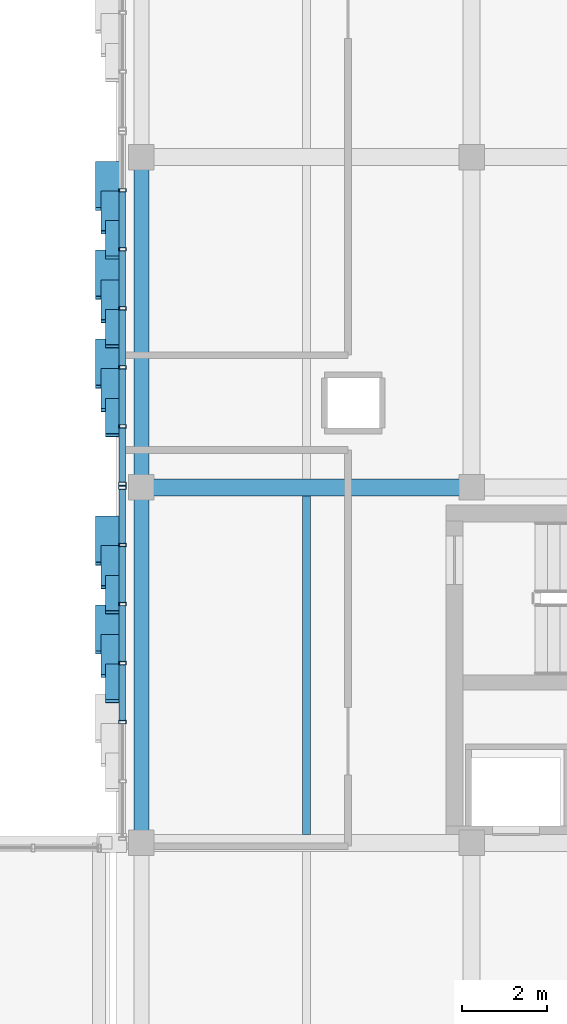
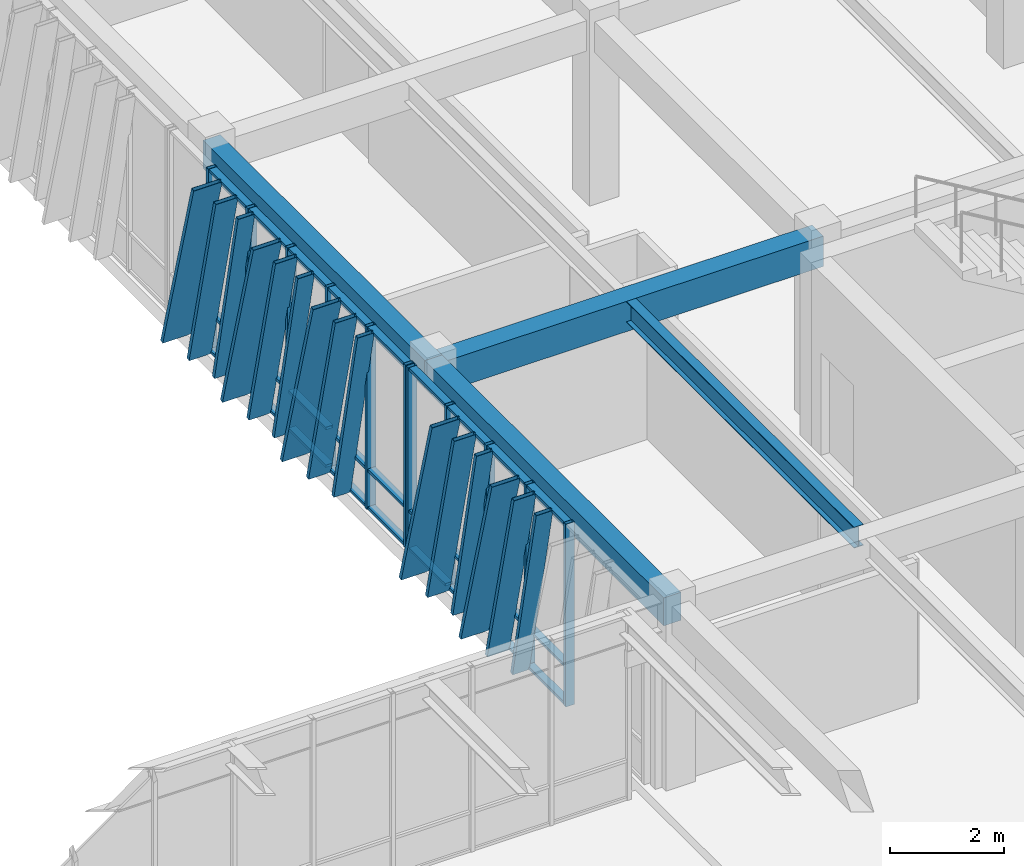
# One storey, part 65 of 127: 53 members, 4 beams, 2 elements without a shape of their own.
"""IFC4 building model written with IfcOpenShell, lengths in metres."""

from ifc_helpers import new_model, si_unit, direction, frame, origin, origin_2d, place, context, subcontext, project, spatial, rectangle, hollow_rectangle, i_section, extrude, material, layer, layer_set, material_profile, profile_set, type_object, element, aggregate, save


model = new_model("IFC4")

# Units and contexts
model_context = context("Model", 3, precision=1e-05, world=origin(), true_north=direction((0.0, 1.0)))
body_context = subcontext(model_context, "Body", "Model", "MODEL_VIEW")
ifc_project = project(units=[si_unit("LENGTHUNIT", "METRE"), si_unit("AREAUNIT", "SQUARE_METRE"), si_unit("VOLUMEUNIT", "CUBIC_METRE"), si_unit("PLANEANGLEUNIT", "RADIAN"), si_unit("MASSUNIT", "GRAM", prefix="KILO")], contexts=[model_context])

# Site, building, storey
site_placement = place(None, origin())
site = spatial("IfcSite", under=ifc_project, at=site_placement, CompositionType="ELEMENT")
building_placement = place(site_placement, origin())
building = spatial("IfcBuilding", under=site, at=building_placement, Name="Zayran Congress Hotel", CompositionType="ELEMENT")
storey_placement = place(building_placement, frame((0.0, 0.0, 10.800048828125)))
storey = spatial("IfcBuildingStorey", under=building, at=storey_placement, Name="L02", CompositionType="ELEMENT", Elevation=10.800048828125)

# Beams
ifc_material_1 = material(Name="Concrete C40/50", Category="concrete")
ifc_material_profile_1 = material_profile(ifc_material_1, rectangle(XDim=0.39990234375, YDim=0.64990234375, at=origin_2d()), Name="RC 400x650")
ifc_profile_set_1 = profile_set([ifc_material_profile_1], Name="Concrete C40/50")
beam_type_1 = type_object("IfcBeamType", Name="TP-BM-03", PredefinedType="BEAM", material=ifc_profile_set_1)
beam_1_placement = place(storey_placement, frame((109.800048828125, 92.800048828125, 3.594970703125), z_axis=(1.0, 0.0, 0.0), x_axis=(0.0, 1.0, 0.0)))
element("IfcBeam", 1, at=beam_1_placement, inside=storey, type_object=beam_type_1, Name="BM-V4-L02-1430", PredefinedType="BEAM", context=body_context, shape_type="SweptSolid", body=[
    extrude(rectangle(XDim=0.39990234375, YDim=0.64990234375, at=origin_2d()), origin(), (0.0, 0.0, 1.0), 7.800048828125),
])
ifc_material_profile_2 = material_profile(ifc_material_1, rectangle(XDim=0.35009765625, YDim=0.60009765625, at=origin_2d()), Name="RC 350x600")
ifc_profile_set_2 = profile_set([ifc_material_profile_2], Name="Concrete C40/50")
beam_type_2 = type_object("IfcBeamType", Name="TP-SP-01", PredefinedType="SPANDREL", material=ifc_profile_set_2)
beam_2_placement = place(storey_placement, frame((109.800048828125, 84.39990234375, 3.619873046875), z_axis=(0.0, 1.0, 0.0), x_axis=(-1.0, 0.0, 0.0)))
element("IfcBeam", 2, at=beam_2_placement, inside=storey, type_object=beam_type_2, Name="BM-V4-L02-1444", PredefinedType="SPANDREL", context=body_context, shape_type="SweptSolid", body=[
    extrude(rectangle(XDim=0.35009765625, YDim=0.60009765625, at=origin_2d()), origin(), (0.0, 0.0, 1.0), 8.400146484375),
])
beam_3_placement = place(storey_placement, frame((109.800048828125, 92.800048828125, 3.619873046875), z_axis=(0.0, 1.0, 0.0), x_axis=(-1.0, 0.0, 0.0)))
element("IfcBeam", 3, at=beam_3_placement, inside=storey, type_object=beam_type_2, Name="BM-V4-L02-1445", PredefinedType="SPANDREL", context=body_context, shape_type="SweptSolid", body=[
    extrude(rectangle(XDim=0.35009765625, YDim=0.60009765625, at=origin_2d()), origin(), (0.0, 0.0, 1.0), 7.800048828125),
])
ifc_material_2 = material(Name="Steel S355", Category="steel")
ifc_material_profile_3 = material_profile(ifc_material_2, i_section(OverallWidth=0.18994140625, OverallDepth=0.449951171875, WebThickness=0.009521484375, FlangeThickness=0.0146484375, at=origin_2d()), Name="IPE 450")
ifc_profile_set_3 = profile_set([ifc_material_profile_3], Name="Steel S355")
beam_type_3 = type_object("IfcBeamType", Name="TP-JS-02", PredefinedType="JOIST", material=ifc_profile_set_3)
beam_4_placement = place(storey_placement, frame((113.699951171875, 84.60009765625, 3.695068359375), z_axis=(0.0, 1.0, 0.0), x_axis=(-1.0, 0.0, 0.0)))
element("IfcBeam", 4, at=beam_4_placement, inside=storey, type_object=beam_type_3, Name="JST-V4-L02-1474", PredefinedType="JOIST", context=body_context, shape_type="SweptSolid", body=[
    extrude(i_section(OverallWidth=0.18994140625, OverallDepth=0.449951171875, WebThickness=0.009521484375, FlangeThickness=0.0146484375, at=origin_2d()), origin(), (0.0, 0.0, 1.0), 8.0),
])

# Curtain wall, members
ifc_material_3 = material(Name="Anodised aluminium and low-E insulated glass", Category="aluminium")
ifc_layer_1 = layer(ifc_material_3, 0.179931640625)
ifc_layer_set_1 = layer_set([ifc_layer_1], Name="Anodised aluminium and low-E insulated glass")
curtain_wall_type_1 = type_object("IfcCurtainWallType", Name="CW-V4W-L02-CW-53-8371-3920", PredefinedType="USERDEFINED", material=ifc_layer_set_1)
curtain_wall_1_placement = place(storey_placement, origin())
curtain_wall_1 = element("IfcCurtainWall", 5, at=curtain_wall_1_placement, inside=storey, type_object=curtain_wall_type_1, Name="CW-V4W-L02-5", ObjectType="CURTAIN WALL", PredefinedType="USERDEFINED")
ifc_material_4 = material(Name="Anodised aluminium framing", Category="aluminium")
ifc_material_profile_4 = material_profile(ifc_material_4, hollow_rectangle(XDim=0.080078125, YDim=0.179931640625, WallThickness=0.0048828125, at=origin_2d()), Name="RHS 180x80x5")
ifc_profile_set_4 = profile_set([ifc_material_profile_4], Name="Anodised aluminium framing")
member_type_1 = type_object("IfcMemberType", Name="TP-CWM-01", PredefinedType="MULLION", material=ifc_profile_set_4)
member_1_placement = place(storey_placement, frame((109.35009765625, 92.7919921875, 0.0), z_axis=(0.0, 0.0, 1.0), x_axis=(0.0, 1.0, 0.0)))
member_1 = element("IfcMember", 6, at=member_1_placement, type_object=member_type_1, Name="CW-V4W-L02-5-M00", PredefinedType="MULLION", context=body_context, shape_type="SweptSolid", body=[
    extrude(hollow_rectangle(XDim=0.080078125, YDim=0.179931640625, WallThickness=0.0048828125, at=origin_2d()), origin(), (0.0, 0.0, 1.0), 3.919921875),
])
member_2_placement = place(storey_placement, frame((109.35009765625, 91.436767578125, 0.0), z_axis=(0.0, 0.0, 1.0), x_axis=(0.0, 1.0, 0.0)))
member_2 = element("IfcMember", 7, at=member_2_placement, type_object=member_type_1, Name="CW-V4W-L02-5-M01", PredefinedType="MULLION", context=body_context, shape_type="SweptSolid", body=[
    extrude(hollow_rectangle(XDim=0.080078125, YDim=0.179931640625, WallThickness=0.0048828125, at=origin_2d()), origin(), (0.0, 0.0, 1.0), 3.919921875),
])
member_3_placement = place(storey_placement, frame((109.35009765625, 90.041748046875, 0.0), z_axis=(0.0, 0.0, 1.0), x_axis=(0.0, 1.0, 0.0)))
member_3 = element("IfcMember", 8, at=member_3_placement, type_object=member_type_1, Name="CW-V4W-L02-5-M02", PredefinedType="MULLION", context=body_context, shape_type="SweptSolid", body=[
    extrude(hollow_rectangle(XDim=0.080078125, YDim=0.179931640625, WallThickness=0.0048828125, at=origin_2d()), origin(), (0.0, 0.0, 1.0), 3.919921875),
])
member_4_placement = place(storey_placement, frame((109.35009765625, 88.646484375, 0.0), z_axis=(0.0, 0.0, 1.0), x_axis=(0.0, 1.0, 0.0)))
member_4 = element("IfcMember", 9, at=member_4_placement, type_object=member_type_1, Name="CW-V4W-L02-5-M03", PredefinedType="MULLION", context=body_context, shape_type="SweptSolid", body=[
    extrude(hollow_rectangle(XDim=0.080078125, YDim=0.179931640625, WallThickness=0.0048828125, at=origin_2d()), origin(), (0.0, 0.0, 1.0), 3.919921875),
])
member_5_placement = place(storey_placement, frame((109.35009765625, 87.251220703125, 0.0), z_axis=(0.0, 0.0, 1.0), x_axis=(0.0, 1.0, 0.0)))
member_5 = element("IfcMember", 10, at=member_5_placement, type_object=member_type_1, Name="CW-V4W-L02-5-M04", PredefinedType="MULLION", context=body_context, shape_type="SweptSolid", body=[
    extrude(hollow_rectangle(XDim=0.080078125, YDim=0.179931640625, WallThickness=0.0048828125, at=origin_2d()), origin(), (0.0, 0.0, 1.0), 3.919921875),
])

ifc_layer_2 = layer(ifc_material_3, 0.179931640625)
ifc_layer_set_2 = layer_set([ifc_layer_2], Name="Anodised aluminium and low-E insulated glass")
curtain_wall_type_2 = type_object("IfcCurtainWallType", Name="CW-V4W-L02-CW-51-8372-3920", PredefinedType="USERDEFINED", material=ifc_layer_set_2)
curtain_wall_2_placement = place(storey_placement, origin())
curtain_wall_2 = element("IfcCurtainWall", 11, at=curtain_wall_2_placement, inside=storey, type_object=curtain_wall_type_2, Name="CW-V4W-L02-6", ObjectType="CURTAIN WALL", PredefinedType="USERDEFINED")
member_6_placement = place(storey_placement, frame((109.35009765625, 99.818603515625, 0.0), z_axis=(0.0, 0.0, 1.0), x_axis=(0.0, 1.0, 0.0)))
member_6 = element("IfcMember", 12, at=member_6_placement, type_object=member_type_1, Name="CW-V4W-L02-6-M01", PredefinedType="MULLION", context=body_context, shape_type="SweptSolid", body=[
    extrude(hollow_rectangle(XDim=0.080078125, YDim=0.179931640625, WallThickness=0.0048828125, at=origin_2d()), origin(), (0.0, 0.0, 1.0), 3.919921875),
])
member_7_placement = place(storey_placement, frame((109.35009765625, 98.42333984375, 0.0), z_axis=(0.0, 0.0, 1.0), x_axis=(0.0, 1.0, 0.0)))
member_7 = element("IfcMember", 13, at=member_7_placement, type_object=member_type_1, Name="CW-V4W-L02-6-M02", PredefinedType="MULLION", context=body_context, shape_type="SweptSolid", body=[
    extrude(hollow_rectangle(XDim=0.080078125, YDim=0.179931640625, WallThickness=0.0048828125, at=origin_2d()), origin(), (0.0, 0.0, 1.0), 3.919921875),
])
member_8_placement = place(storey_placement, frame((109.35009765625, 97.028076171875, 0.0), z_axis=(0.0, 0.0, 1.0), x_axis=(0.0, 1.0, 0.0)))
member_8 = element("IfcMember", 14, at=member_8_placement, type_object=member_type_1, Name="CW-V4W-L02-6-M03", PredefinedType="MULLION", context=body_context, shape_type="SweptSolid", body=[
    extrude(hollow_rectangle(XDim=0.080078125, YDim=0.179931640625, WallThickness=0.0048828125, at=origin_2d()), origin(), (0.0, 0.0, 1.0), 3.919921875),
])
member_9_placement = place(storey_placement, frame((109.35009765625, 95.6328125, 0.0), z_axis=(0.0, 0.0, 1.0), x_axis=(0.0, 1.0, 0.0)))
member_9 = element("IfcMember", 15, at=member_9_placement, type_object=member_type_1, Name="CW-V4W-L02-6-M04", PredefinedType="MULLION", context=body_context, shape_type="SweptSolid", body=[
    extrude(hollow_rectangle(XDim=0.080078125, YDim=0.179931640625, WallThickness=0.0048828125, at=origin_2d()), origin(), (0.0, 0.0, 1.0), 3.919921875),
])
member_10_placement = place(storey_placement, frame((109.35009765625, 94.2373046875, 0.0), z_axis=(0.0, 0.0, 1.0), x_axis=(0.0, 1.0, 0.0)))
member_10 = element("IfcMember", 16, at=member_10_placement, type_object=member_type_1, Name="CW-V4W-L02-6-M05", PredefinedType="MULLION", context=body_context, shape_type="SweptSolid", body=[
    extrude(hollow_rectangle(XDim=0.080078125, YDim=0.179931640625, WallThickness=0.0048828125, at=origin_2d()), origin(), (0.0, 0.0, 1.0), 3.919921875),
])
member_11_placement = place(storey_placement, frame((109.35009765625, 92.882080078125, 0.0), z_axis=(0.0, 0.0, 1.0), x_axis=(0.0, 1.0, 0.0)))
member_11 = element("IfcMember", 17, at=member_11_placement, type_object=member_type_1, Name="CW-V4W-L02-6-M06", PredefinedType="MULLION", context=body_context, shape_type="SweptSolid", body=[
    extrude(hollow_rectangle(XDim=0.080078125, YDim=0.179931640625, WallThickness=0.0048828125, at=origin_2d()), origin(), (0.0, 0.0, 1.0), 3.919921875),
])

# Member
ifc_material_profile_5 = material_profile(ifc_material_4, hollow_rectangle(XDim=0.06005859375, YDim=0.14990234375, WallThickness=0.00390625, at=origin_2d()), Name="RHS 150x60x4")
ifc_profile_set_5 = profile_set([ifc_material_profile_5], Name="Anodised aluminium framing")
member_type_2 = type_object("IfcMemberType", Name="TP-CWT-01", PredefinedType="USERDEFINED", material=ifc_profile_set_5)
member_12_placement = place(storey_placement, frame((109.35009765625, 92.751953125, 0.030029296875), z_axis=(0.0, -1.0, 0.0), x_axis=(0.0, 0.0, 1.0)))
member_12 = element("IfcMember", 18, at=member_12_placement, type_object=member_type_2, Name="CW-V4W-L02-5-T00-0", ObjectType="TRANSOM", PredefinedType="USERDEFINED", context=body_context, shape_type="SweptSolid", body=[
    extrude(hollow_rectangle(XDim=0.06005859375, YDim=0.14990234375, WallThickness=0.00390625, at=origin_2d()), origin(), (0.0, 0.0, 1.0), 1.275146484375),
])

member_13_placement = place(storey_placement, frame((109.35009765625, 92.751953125, 0.83984375), z_axis=(0.0, -1.0, 0.0), x_axis=(0.0, 0.0, 1.0)))
member_13 = element("IfcMember", 19, at=member_13_placement, type_object=member_type_2, Name="CW-V4W-L02-5-T00-1", ObjectType="TRANSOM", PredefinedType="USERDEFINED", context=body_context, shape_type="SweptSolid", body=[
    extrude(hollow_rectangle(XDim=0.06005859375, YDim=0.14990234375, WallThickness=0.00390625, at=origin_2d()), origin(), (0.0, 0.0, 1.0), 1.275146484375),
])

member_14_placement = place(storey_placement, frame((109.35009765625, 92.751953125, 3.889892578125), z_axis=(0.0, -1.0, 0.0), x_axis=(0.0, 0.0, 1.0)))
member_14 = element("IfcMember", 20, at=member_14_placement, type_object=member_type_2, Name="CW-V4W-L02-5-T00-2", ObjectType="TRANSOM", PredefinedType="USERDEFINED", context=body_context, shape_type="SweptSolid", body=[
    extrude(hollow_rectangle(XDim=0.06005859375, YDim=0.14990234375, WallThickness=0.00390625, at=origin_2d()), origin(), (0.0, 0.0, 1.0), 1.275146484375),
])

member_15_placement = place(storey_placement, frame((109.35009765625, 91.396728515625, 0.030029296875), z_axis=(0.0, -1.0, 0.0), x_axis=(0.0, 0.0, 1.0)))
member_15 = element("IfcMember", 21, at=member_15_placement, type_object=member_type_2, Name="CW-V4W-L02-5-T01-0", ObjectType="TRANSOM", PredefinedType="USERDEFINED", context=body_context, shape_type="SweptSolid", body=[
    extrude(hollow_rectangle(XDim=0.06005859375, YDim=0.14990234375, WallThickness=0.00390625, at=origin_2d()), origin(), (0.0, 0.0, 1.0), 1.31494140625),
])

member_16_placement = place(storey_placement, frame((109.35009765625, 91.396728515625, 0.83984375), z_axis=(0.0, -1.0, 0.0), x_axis=(0.0, 0.0, 1.0)))
member_16 = element("IfcMember", 22, at=member_16_placement, type_object=member_type_2, Name="CW-V4W-L02-5-T01-1", ObjectType="TRANSOM", PredefinedType="USERDEFINED", context=body_context, shape_type="SweptSolid", body=[
    extrude(hollow_rectangle(XDim=0.06005859375, YDim=0.14990234375, WallThickness=0.00390625, at=origin_2d()), origin(), (0.0, 0.0, 1.0), 1.31494140625),
])

member_17_placement = place(storey_placement, frame((109.35009765625, 91.396728515625, 3.889892578125), z_axis=(0.0, -1.0, 0.0), x_axis=(0.0, 0.0, 1.0)))
member_17 = element("IfcMember", 23, at=member_17_placement, type_object=member_type_2, Name="CW-V4W-L02-5-T01-2", ObjectType="TRANSOM", PredefinedType="USERDEFINED", context=body_context, shape_type="SweptSolid", body=[
    extrude(hollow_rectangle(XDim=0.06005859375, YDim=0.14990234375, WallThickness=0.00390625, at=origin_2d()), origin(), (0.0, 0.0, 1.0), 1.31494140625),
])

member_18_placement = place(storey_placement, frame((109.35009765625, 90.001708984375, 0.030029296875), z_axis=(0.0, -1.0, 0.0), x_axis=(0.0, 0.0, 1.0)))
member_18 = element("IfcMember", 24, at=member_18_placement, type_object=member_type_2, Name="CW-V4W-L02-5-T02-0", ObjectType="TRANSOM", PredefinedType="USERDEFINED", context=body_context, shape_type="SweptSolid", body=[
    extrude(hollow_rectangle(XDim=0.06005859375, YDim=0.14990234375, WallThickness=0.00390625, at=origin_2d()), origin(), (0.0, 0.0, 1.0), 1.315185546875),
])

member_19_placement = place(storey_placement, frame((109.35009765625, 90.001708984375, 0.83984375), z_axis=(0.0, -1.0, 0.0), x_axis=(0.0, 0.0, 1.0)))
member_19 = element("IfcMember", 25, at=member_19_placement, type_object=member_type_2, Name="CW-V4W-L02-5-T02-1", ObjectType="TRANSOM", PredefinedType="USERDEFINED", context=body_context, shape_type="SweptSolid", body=[
    extrude(hollow_rectangle(XDim=0.06005859375, YDim=0.14990234375, WallThickness=0.00390625, at=origin_2d()), origin(), (0.0, 0.0, 1.0), 1.315185546875),
])

member_20_placement = place(storey_placement, frame((109.35009765625, 90.001708984375, 3.889892578125), z_axis=(0.0, -1.0, 0.0), x_axis=(0.0, 0.0, 1.0)))
member_20 = element("IfcMember", 26, at=member_20_placement, type_object=member_type_2, Name="CW-V4W-L02-5-T02-2", ObjectType="TRANSOM", PredefinedType="USERDEFINED", context=body_context, shape_type="SweptSolid", body=[
    extrude(hollow_rectangle(XDim=0.06005859375, YDim=0.14990234375, WallThickness=0.00390625, at=origin_2d()), origin(), (0.0, 0.0, 1.0), 1.315185546875),
])

member_21_placement = place(storey_placement, frame((109.35009765625, 88.6064453125, 0.030029296875), z_axis=(0.0, -1.0, 0.0), x_axis=(0.0, 0.0, 1.0)))
member_21 = element("IfcMember", 27, at=member_21_placement, type_object=member_type_2, Name="CW-V4W-L02-5-T03-0", ObjectType="TRANSOM", PredefinedType="USERDEFINED", context=body_context, shape_type="SweptSolid", body=[
    extrude(hollow_rectangle(XDim=0.06005859375, YDim=0.14990234375, WallThickness=0.00390625, at=origin_2d()), origin(), (0.0, 0.0, 1.0), 1.315185546875),
])

member_22_placement = place(storey_placement, frame((109.35009765625, 88.6064453125, 0.83984375), z_axis=(0.0, -1.0, 0.0), x_axis=(0.0, 0.0, 1.0)))
member_22 = element("IfcMember", 28, at=member_22_placement, type_object=member_type_2, Name="CW-V4W-L02-5-T03-1", ObjectType="TRANSOM", PredefinedType="USERDEFINED", context=body_context, shape_type="SweptSolid", body=[
    extrude(hollow_rectangle(XDim=0.06005859375, YDim=0.14990234375, WallThickness=0.00390625, at=origin_2d()), origin(), (0.0, 0.0, 1.0), 1.315185546875),
])

member_23_placement = place(storey_placement, frame((109.35009765625, 88.6064453125, 3.889892578125), z_axis=(0.0, -1.0, 0.0), x_axis=(0.0, 0.0, 1.0)))
member_23 = element("IfcMember", 29, at=member_23_placement, type_object=member_type_2, Name="CW-V4W-L02-5-T03-2", ObjectType="TRANSOM", PredefinedType="USERDEFINED", context=body_context, shape_type="SweptSolid", body=[
    extrude(hollow_rectangle(XDim=0.06005859375, YDim=0.14990234375, WallThickness=0.00390625, at=origin_2d()), origin(), (0.0, 0.0, 1.0), 1.315185546875),
])

member_24_placement = place(storey_placement, frame((109.35009765625, 99.77880859375, 0.030029296875), z_axis=(0.0, -1.0, 0.0), x_axis=(0.0, 0.0, 1.0)))
member_24 = element("IfcMember", 30, at=member_24_placement, type_object=member_type_2, Name="CW-V4W-L02-6-T01-0", ObjectType="TRANSOM", PredefinedType="USERDEFINED", context=body_context, shape_type="SweptSolid", body=[
    extrude(hollow_rectangle(XDim=0.06005859375, YDim=0.14990234375, WallThickness=0.00390625, at=origin_2d()), origin(), (0.0, 0.0, 1.0), 1.3154296875),
])

member_25_placement = place(storey_placement, frame((109.35009765625, 99.77880859375, 0.83984375), z_axis=(0.0, -1.0, 0.0), x_axis=(0.0, 0.0, 1.0)))
member_25 = element("IfcMember", 31, at=member_25_placement, type_object=member_type_2, Name="CW-V4W-L02-6-T01-1", ObjectType="TRANSOM", PredefinedType="USERDEFINED", context=body_context, shape_type="SweptSolid", body=[
    extrude(hollow_rectangle(XDim=0.06005859375, YDim=0.14990234375, WallThickness=0.00390625, at=origin_2d()), origin(), (0.0, 0.0, 1.0), 1.3154296875),
])

member_26_placement = place(storey_placement, frame((109.35009765625, 99.77880859375, 3.889892578125), z_axis=(0.0, -1.0, 0.0), x_axis=(0.0, 0.0, 1.0)))
member_26 = element("IfcMember", 32, at=member_26_placement, type_object=member_type_2, Name="CW-V4W-L02-6-T01-2", ObjectType="TRANSOM", PredefinedType="USERDEFINED", context=body_context, shape_type="SweptSolid", body=[
    extrude(hollow_rectangle(XDim=0.06005859375, YDim=0.14990234375, WallThickness=0.00390625, at=origin_2d()), origin(), (0.0, 0.0, 1.0), 1.3154296875),
])

member_27_placement = place(storey_placement, frame((109.35009765625, 98.38330078125, 0.030029296875), z_axis=(0.0, -1.0, 0.0), x_axis=(0.0, 0.0, 1.0)))
member_27 = element("IfcMember", 33, at=member_27_placement, type_object=member_type_2, Name="CW-V4W-L02-6-T02-0", ObjectType="TRANSOM", PredefinedType="USERDEFINED", context=body_context, shape_type="SweptSolid", body=[
    extrude(hollow_rectangle(XDim=0.06005859375, YDim=0.14990234375, WallThickness=0.00390625, at=origin_2d()), origin(), (0.0, 0.0, 1.0), 1.315185546875),
])

member_28_placement = place(storey_placement, frame((109.35009765625, 98.38330078125, 0.83984375), z_axis=(0.0, -1.0, 0.0), x_axis=(0.0, 0.0, 1.0)))
member_28 = element("IfcMember", 34, at=member_28_placement, type_object=member_type_2, Name="CW-V4W-L02-6-T02-1", ObjectType="TRANSOM", PredefinedType="USERDEFINED", context=body_context, shape_type="SweptSolid", body=[
    extrude(hollow_rectangle(XDim=0.06005859375, YDim=0.14990234375, WallThickness=0.00390625, at=origin_2d()), origin(), (0.0, 0.0, 1.0), 1.315185546875),
])

member_29_placement = place(storey_placement, frame((109.35009765625, 98.38330078125, 3.889892578125), z_axis=(0.0, -1.0, 0.0), x_axis=(0.0, 0.0, 1.0)))
member_29 = element("IfcMember", 35, at=member_29_placement, type_object=member_type_2, Name="CW-V4W-L02-6-T02-2", ObjectType="TRANSOM", PredefinedType="USERDEFINED", context=body_context, shape_type="SweptSolid", body=[
    extrude(hollow_rectangle(XDim=0.06005859375, YDim=0.14990234375, WallThickness=0.00390625, at=origin_2d()), origin(), (0.0, 0.0, 1.0), 1.315185546875),
])

member_30_placement = place(storey_placement, frame((109.35009765625, 96.988037109375, 0.030029296875), z_axis=(0.0, -1.0, 0.0), x_axis=(0.0, 0.0, 1.0)))
member_30 = element("IfcMember", 36, at=member_30_placement, type_object=member_type_2, Name="CW-V4W-L02-6-T03-0", ObjectType="TRANSOM", PredefinedType="USERDEFINED", context=body_context, shape_type="SweptSolid", body=[
    extrude(hollow_rectangle(XDim=0.06005859375, YDim=0.14990234375, WallThickness=0.00390625, at=origin_2d()), origin(), (0.0, 0.0, 1.0), 1.3154296875),
])

member_31_placement = place(storey_placement, frame((109.35009765625, 96.988037109375, 0.83984375), z_axis=(0.0, -1.0, 0.0), x_axis=(0.0, 0.0, 1.0)))
member_31 = element("IfcMember", 37, at=member_31_placement, type_object=member_type_2, Name="CW-V4W-L02-6-T03-1", ObjectType="TRANSOM", PredefinedType="USERDEFINED", context=body_context, shape_type="SweptSolid", body=[
    extrude(hollow_rectangle(XDim=0.06005859375, YDim=0.14990234375, WallThickness=0.00390625, at=origin_2d()), origin(), (0.0, 0.0, 1.0), 1.3154296875),
])

member_32_placement = place(storey_placement, frame((109.35009765625, 96.988037109375, 3.889892578125), z_axis=(0.0, -1.0, 0.0), x_axis=(0.0, 0.0, 1.0)))
member_32 = element("IfcMember", 38, at=member_32_placement, type_object=member_type_2, Name="CW-V4W-L02-6-T03-2", ObjectType="TRANSOM", PredefinedType="USERDEFINED", context=body_context, shape_type="SweptSolid", body=[
    extrude(hollow_rectangle(XDim=0.06005859375, YDim=0.14990234375, WallThickness=0.00390625, at=origin_2d()), origin(), (0.0, 0.0, 1.0), 1.3154296875),
])

member_33_placement = place(storey_placement, frame((109.35009765625, 95.5927734375, 0.030029296875), z_axis=(0.0, -1.0, 0.0), x_axis=(0.0, 0.0, 1.0)))
member_33 = element("IfcMember", 39, at=member_33_placement, type_object=member_type_2, Name="CW-V4W-L02-6-T04-0", ObjectType="TRANSOM", PredefinedType="USERDEFINED", context=body_context, shape_type="SweptSolid", body=[
    extrude(hollow_rectangle(XDim=0.06005859375, YDim=0.14990234375, WallThickness=0.00390625, at=origin_2d()), origin(), (0.0, 0.0, 1.0), 1.3154296875),
])

member_34_placement = place(storey_placement, frame((109.35009765625, 95.5927734375, 0.83984375), z_axis=(0.0, -1.0, 0.0), x_axis=(0.0, 0.0, 1.0)))
member_34 = element("IfcMember", 40, at=member_34_placement, type_object=member_type_2, Name="CW-V4W-L02-6-T04-1", ObjectType="TRANSOM", PredefinedType="USERDEFINED", context=body_context, shape_type="SweptSolid", body=[
    extrude(hollow_rectangle(XDim=0.06005859375, YDim=0.14990234375, WallThickness=0.00390625, at=origin_2d()), origin(), (0.0, 0.0, 1.0), 1.3154296875),
])

member_35_placement = place(storey_placement, frame((109.35009765625, 95.5927734375, 3.889892578125), z_axis=(0.0, -1.0, 0.0), x_axis=(0.0, 0.0, 1.0)))
member_35 = element("IfcMember", 41, at=member_35_placement, type_object=member_type_2, Name="CW-V4W-L02-6-T04-2", ObjectType="TRANSOM", PredefinedType="USERDEFINED", context=body_context, shape_type="SweptSolid", body=[
    extrude(hollow_rectangle(XDim=0.06005859375, YDim=0.14990234375, WallThickness=0.00390625, at=origin_2d()), origin(), (0.0, 0.0, 1.0), 1.3154296875),
])

member_36_placement = place(storey_placement, frame((109.35009765625, 94.197265625, 0.030029296875), z_axis=(0.0, -1.0, 0.0), x_axis=(0.0, 0.0, 1.0)))
member_36 = element("IfcMember", 42, at=member_36_placement, type_object=member_type_2, Name="CW-V4W-L02-6-T05-0", ObjectType="TRANSOM", PredefinedType="USERDEFINED", context=body_context, shape_type="SweptSolid", body=[
    extrude(hollow_rectangle(XDim=0.06005859375, YDim=0.14990234375, WallThickness=0.00390625, at=origin_2d()), origin(), (0.0, 0.0, 1.0), 1.275146484375),
])

member_37_placement = place(storey_placement, frame((109.35009765625, 94.197265625, 0.83984375), z_axis=(0.0, -1.0, 0.0), x_axis=(0.0, 0.0, 1.0)))
member_37 = element("IfcMember", 43, at=member_37_placement, type_object=member_type_2, Name="CW-V4W-L02-6-T05-1", ObjectType="TRANSOM", PredefinedType="USERDEFINED", context=body_context, shape_type="SweptSolid", body=[
    extrude(hollow_rectangle(XDim=0.06005859375, YDim=0.14990234375, WallThickness=0.00390625, at=origin_2d()), origin(), (0.0, 0.0, 1.0), 1.275146484375),
])

member_38_placement = place(storey_placement, frame((109.35009765625, 94.197265625, 3.889892578125), z_axis=(0.0, -1.0, 0.0), x_axis=(0.0, 0.0, 1.0)))
member_38 = element("IfcMember", 44, at=member_38_placement, type_object=member_type_2, Name="CW-V4W-L02-6-T05-2", ObjectType="TRANSOM", PredefinedType="USERDEFINED", context=body_context, shape_type="SweptSolid", body=[
    extrude(hollow_rectangle(XDim=0.06005859375, YDim=0.14990234375, WallThickness=0.00390625, at=origin_2d()), origin(), (0.0, 0.0, 1.0), 1.275146484375),
])

ifc_material_5 = material(Name="Warm bronze anodised aluminium", Category="aluminium")
ifc_material_profile_6 = material_profile(ifc_material_5, hollow_rectangle(XDim=0.080078125, YDim=0.580078125, WallThickness=0.006103515625, at=origin_2d()), Name="RHS 580x80x6")
ifc_profile_set_6 = profile_set([ifc_material_profile_6], Name="Warm bronze anodised aluminium")
member_type_3 = type_object("IfcMemberType", Name="TP-RFN-01", PredefinedType="MULLION", material=ifc_profile_set_6)
member_39_placement = place(storey_placement, frame((109.0, 92.08203125, 0.0), z_axis=(0.0, -0.267253820088, 0.963626170072), x_axis=(0.0, 0.963626170072, 0.267253820088)))
member_39 = element("IfcMember", 45, at=member_39_placement, type_object=member_type_3, Name="Slanting Reed Mullion CW-53-01", PredefinedType="MULLION", context=body_context, shape_type="SweptSolid", body=[
    extrude(hollow_rectangle(XDim=0.080078125, YDim=0.580078125, WallThickness=0.006103515625, at=origin_2d()), origin(), (0.0, 0.0, 1.0), 4.06787109375),
])

member_40_placement = place(storey_placement, frame((109.0, 89.98193359375, 0.0), z_axis=(0.0, -0.26719808883, 0.963641624944), x_axis=(0.0, 0.963641624944, 0.26719808883)))
member_40 = element("IfcMember", 46, at=member_40_placement, type_object=member_type_3, Name="Slanting Reed Mullion CW-53-04", PredefinedType="MULLION", context=body_context, shape_type="SweptSolid", body=[
    extrude(hollow_rectangle(XDim=0.080078125, YDim=0.580078125, WallThickness=0.006103515625, at=origin_2d()), origin(), (0.0, 0.0, 1.0), 4.06787109375),
])

member_41_placement = place(storey_placement, frame((109.0, 100.464111328125, 0.0), z_axis=(0.0, -0.267253820088, 0.963626170072), x_axis=(0.0, 0.963626170072, 0.267253820088)))
member_41 = element("IfcMember", 47, at=member_41_placement, type_object=member_type_3, Name="Slanting Reed Mullion CW-51-01", PredefinedType="MULLION", context=body_context, shape_type="SweptSolid", body=[
    extrude(hollow_rectangle(XDim=0.080078125, YDim=0.580078125, WallThickness=0.006103515625, at=origin_2d()), origin(), (0.0, 0.0, 1.0), 4.06787109375),
])

member_42_placement = place(storey_placement, frame((109.0, 98.364013671875, 0.0), z_axis=(0.0, -0.267253820088, 0.963626170072), x_axis=(0.0, 0.963626170072, 0.267253820088)))
member_42 = element("IfcMember", 48, at=member_42_placement, type_object=member_type_3, Name="Slanting Reed Mullion CW-51-04", PredefinedType="MULLION", context=body_context, shape_type="SweptSolid", body=[
    extrude(hollow_rectangle(XDim=0.080078125, YDim=0.580078125, WallThickness=0.006103515625, at=origin_2d()), origin(), (0.0, 0.0, 1.0), 4.06787109375),
])

member_43_placement = place(storey_placement, frame((109.0, 96.263916015625, 0.0), z_axis=(0.0, -0.26719808883, 0.963641624944), x_axis=(0.0, 0.963641624944, 0.26719808883)))
member_43 = element("IfcMember", 49, at=member_43_placement, type_object=member_type_3, Name="Slanting Reed Mullion CW-51-07", PredefinedType="MULLION", context=body_context, shape_type="SweptSolid", body=[
    extrude(hollow_rectangle(XDim=0.080078125, YDim=0.580078125, WallThickness=0.006103515625, at=origin_2d()), origin(), (0.0, 0.0, 1.0), 4.06787109375),
])

ifc_material_profile_7 = material_profile(ifc_material_5, hollow_rectangle(XDim=0.080078125, YDim=0.449951171875, WallThickness=0.006103515625, at=origin_2d()), Name="RHS 450x80x6")
ifc_profile_set_7 = profile_set([ifc_material_profile_7], Name="Warm bronze anodised aluminium")
member_type_4 = type_object("IfcMemberType", Name="TP-RFN-02", PredefinedType="MULLION", material=ifc_profile_set_7)
member_44_placement = place(storey_placement, frame((109.06494140625, 91.382080078125, 0.0), z_axis=(0.0, -0.233462281113, 0.972365858768), x_axis=(0.0, 0.972365858768, 0.233462281113)))
member_44 = element("IfcMember", 50, at=member_44_placement, type_object=member_type_4, Name="Slanting Reed Mullion CW-53-02", PredefinedType="MULLION", context=body_context, shape_type="SweptSolid", body=[
    extrude(hollow_rectangle(XDim=0.080078125, YDim=0.449951171875, WallThickness=0.006103515625, at=origin_2d()), origin(), (0.0, 0.0, 1.0), 4.03125),
])

member_45_placement = place(storey_placement, frame((109.06494140625, 89.281982421875, 0.0), z_axis=(0.0, -0.233462281113, 0.972365858768), x_axis=(0.0, 0.972365858768, 0.233462281113)))
member_45 = element("IfcMember", 51, at=member_45_placement, type_object=member_type_4, Name="Slanting Reed Mullion CW-53-05", PredefinedType="MULLION", context=body_context, shape_type="SweptSolid", body=[
    extrude(hollow_rectangle(XDim=0.080078125, YDim=0.449951171875, WallThickness=0.006103515625, at=origin_2d()), origin(), (0.0, 0.0, 1.0), 4.03125),
])

member_46_placement = place(storey_placement, frame((109.06494140625, 99.763916015625, 0.0), z_axis=(0.0, -0.233405019846, 0.972379605252), x_axis=(0.0, 0.972379605252, 0.233405019846)))
member_46 = element("IfcMember", 52, at=member_46_placement, type_object=member_type_4, Name="Slanting Reed Mullion CW-51-02", PredefinedType="MULLION", context=body_context, shape_type="SweptSolid", body=[
    extrude(hollow_rectangle(XDim=0.080078125, YDim=0.449951171875, WallThickness=0.006103515625, at=origin_2d()), origin(), (0.0, 0.0, 1.0), 4.03125),
])

member_47_placement = place(storey_placement, frame((109.06494140625, 97.6640625, 0.0), z_axis=(0.0, -0.233462281113, 0.972365858768), x_axis=(0.0, 0.972365858768, 0.233462281113)))
member_47 = element("IfcMember", 53, at=member_47_placement, type_object=member_type_4, Name="Slanting Reed Mullion CW-51-05", PredefinedType="MULLION", context=body_context, shape_type="SweptSolid", body=[
    extrude(hollow_rectangle(XDim=0.080078125, YDim=0.449951171875, WallThickness=0.006103515625, at=origin_2d()), origin(), (0.0, 0.0, 1.0), 4.03125),
])

member_48_placement = place(storey_placement, frame((109.06494140625, 95.56396484375, 0.0), z_axis=(0.0, -0.233462281113, 0.972365858768), x_axis=(0.0, 0.972365858768, 0.233462281113)))
member_48 = element("IfcMember", 54, at=member_48_placement, type_object=member_type_4, Name="Slanting Reed Mullion CW-51-08", PredefinedType="MULLION", context=body_context, shape_type="SweptSolid", body=[
    extrude(hollow_rectangle(XDim=0.080078125, YDim=0.449951171875, WallThickness=0.006103515625, at=origin_2d()), origin(), (0.0, 0.0, 1.0), 4.03125),
])

ifc_material_profile_8 = material_profile(ifc_material_5, hollow_rectangle(XDim=0.080078125, YDim=0.340087890625, WallThickness=0.006103515625, at=origin_2d()), Name="RHS 340x80x6")
ifc_profile_set_8 = profile_set([ifc_material_profile_8], Name="Warm bronze anodised aluminium")
member_type_5 = type_object("IfcMemberType", Name="TP-RFN-03", PredefinedType="MULLION", material=ifc_profile_set_8)
member_49_placement = place(storey_placement, frame((109.1201171875, 90.681884765625, 0.0), z_axis=(0.0, -0.207864584765, 0.978157612249), x_axis=(0.0, 0.978157612249, 0.207864584765)))
member_49 = element("IfcMember", 55, at=member_49_placement, type_object=member_type_5, Name="Slanting Reed Mullion CW-53-03", PredefinedType="MULLION", context=body_context, shape_type="SweptSolid", body=[
    extrude(hollow_rectangle(XDim=0.080078125, YDim=0.340087890625, WallThickness=0.006103515625, at=origin_2d()), origin(), (0.0, 0.0, 1.0), 4.007568359375),
])

member_50_placement = place(storey_placement, frame((109.1201171875, 88.58203125, 0.0), z_axis=(0.0, -0.207922873001, 0.978145223821), x_axis=(0.0, 0.978145223821, 0.207922873001)))
member_50 = element("IfcMember", 56, at=member_50_placement, type_object=member_type_5, Name="Slanting Reed Mullion CW-53-06", PredefinedType="MULLION", context=body_context, shape_type="SweptSolid", body=[
    extrude(hollow_rectangle(XDim=0.080078125, YDim=0.340087890625, WallThickness=0.006103515625, at=origin_2d()), origin(), (0.0, 0.0, 1.0), 4.007568359375),
])

aggregate(curtain_wall_1, [member_1, member_2, member_3, member_4, member_5, member_12, member_13, member_14, member_15, member_16, member_17, member_18, member_19, member_20, member_21, member_22, member_23, member_39, member_44, member_49, member_40, member_45, member_50])

member_51_placement = place(storey_placement, frame((109.1201171875, 99.06396484375, 0.0), z_axis=(0.0, -0.207922873001, 0.978145223821), x_axis=(0.0, 0.978145223821, 0.207922873001)))
member_51 = element("IfcMember", 57, at=member_51_placement, type_object=member_type_5, Name="Slanting Reed Mullion CW-51-03", PredefinedType="MULLION", context=body_context, shape_type="SweptSolid", body=[
    extrude(hollow_rectangle(XDim=0.080078125, YDim=0.340087890625, WallThickness=0.006103515625, at=origin_2d()), origin(), (0.0, 0.0, 1.0), 4.007568359375),
])

member_52_placement = place(storey_placement, frame((109.1201171875, 96.964111328125, 0.0), z_axis=(0.0, -0.207922873001, 0.978145223821), x_axis=(0.0, 0.978145223821, 0.207922873001)))
member_52 = element("IfcMember", 58, at=member_52_placement, type_object=member_type_5, Name="Slanting Reed Mullion CW-51-06", PredefinedType="MULLION", context=body_context, shape_type="SweptSolid", body=[
    extrude(hollow_rectangle(XDim=0.080078125, YDim=0.340087890625, WallThickness=0.006103515625, at=origin_2d()), origin(), (0.0, 0.0, 1.0), 4.007568359375),
])

member_53_placement = place(storey_placement, frame((109.1201171875, 94.864013671875, 0.0), z_axis=(0.0, -0.207922873001, 0.978145223821), x_axis=(0.0, 0.978145223821, 0.207922873001)))
member_53 = element("IfcMember", 59, at=member_53_placement, type_object=member_type_5, Name="Slanting Reed Mullion CW-51-09", PredefinedType="MULLION", context=body_context, shape_type="SweptSolid", body=[
    extrude(hollow_rectangle(XDim=0.080078125, YDim=0.340087890625, WallThickness=0.006103515625, at=origin_2d()), origin(), (0.0, 0.0, 1.0), 4.007568359375),
])

aggregate(curtain_wall_2, [member_6, member_7, member_8, member_9, member_10, member_11, member_24, member_25, member_26, member_27, member_28, member_29, member_30, member_31, member_32, member_33, member_34, member_35, member_36, member_37, member_38, member_41, member_46, member_51, member_42, member_47, member_52, member_43, member_48, member_53])

save(model, "model.ifc")
